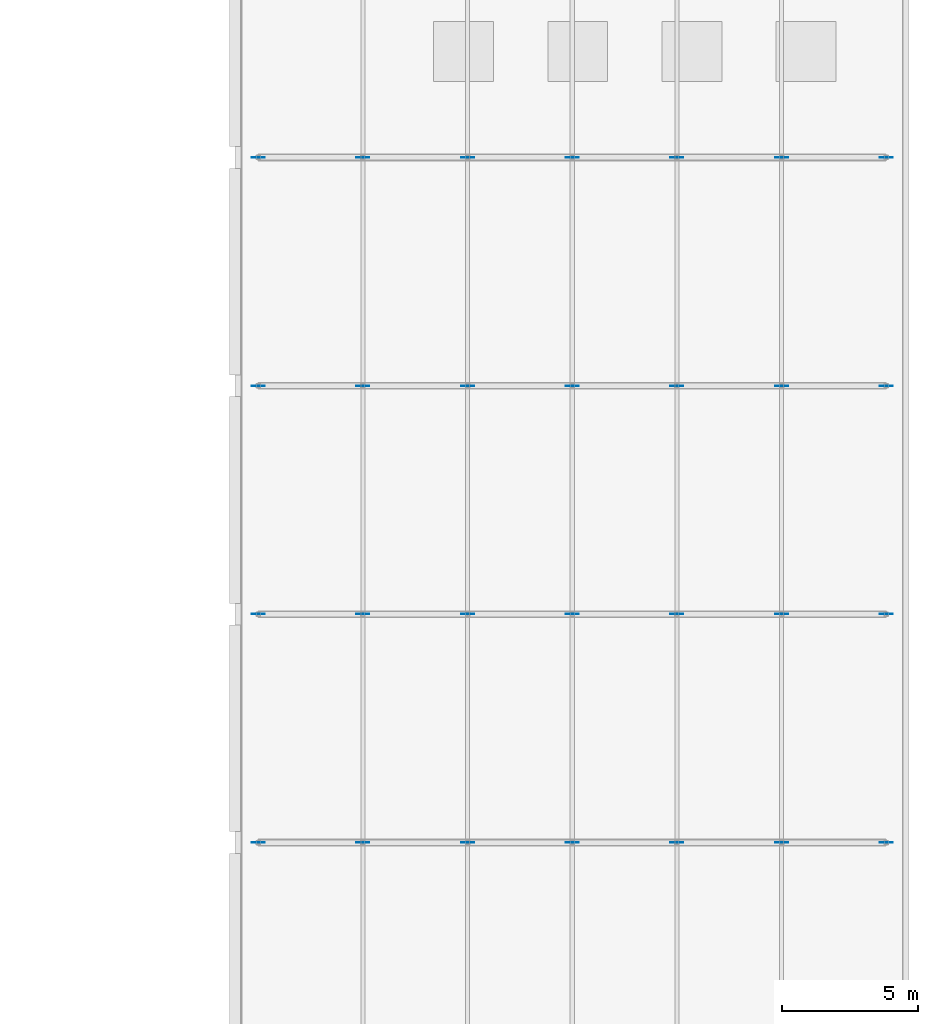
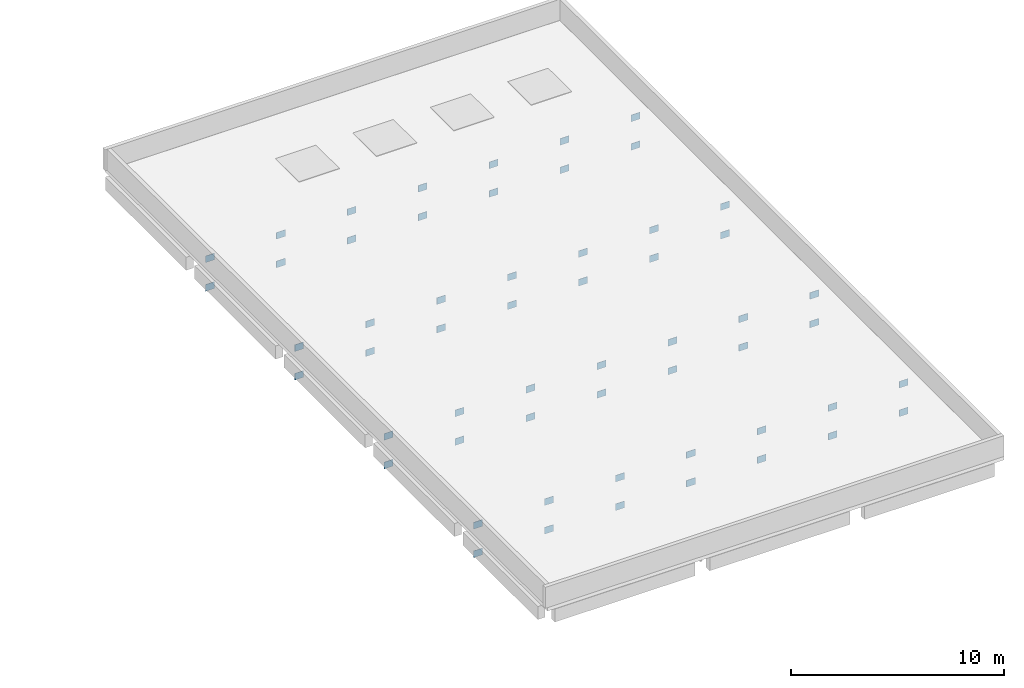
# One storey, part 28 of 38: 56 plates.
"""IFC4 building model written with IfcOpenShell, lengths in metres."""

import ifcopenshell
import ifcopenshell.guid

model = None  # the IFC model being written
_history = None  # IfcOwnerHistory: only IFC2X3 demands one
_inside = {}  # id of a spatial element -> (the spatial element, [elements in it])
_under = {}  # id of a project, library or spatial element -> (it, [spatial elements below it])
_declared = {}  # id of a project -> (the project, [libraries it declares])
_typed = {}  # id of a type object -> (the type object, [elements of that type])
_made_of = {}  # id of a material, layer set ... -> (it, [elements and type objects made of it])


def new_model(schema):
    """Start an empty IFC model of exactly this schema.

    Asked for "IFC4X3", IfcOpenShell would pick the latest addendum, in which some entities
    have other attributes; the version numbers below select the first issue.
    IFC2X3 requires an IfcOwnerHistory on every rooted entity: one is made here for all.
    """
    global model, _history
    if schema == "IFC4X3":
        model = ifcopenshell.file(schema_version=(4, 3, 0, 0))
    else:
        model = ifcopenshell.file(schema=schema)
    _inside.clear()
    _under.clear()
    _declared.clear()
    _typed.clear()
    _made_of.clear()
    _history = None
    if model.schema == "IFC2X3":
        org = make("IfcOrganization", Name="unknown")
        user = make(
            "IfcPersonAndOrganization",
            ThePerson=make("IfcPerson", FamilyName="unknown"),
            TheOrganization=org,
        )
        app = make(
            "IfcApplication",
            ApplicationDeveloper=org,
            Version="unknown",
            ApplicationFullName="unknown",
            ApplicationIdentifier="unknown",
        )
        _history = make(
            "IfcOwnerHistory",
            OwningUser=user,
            OwningApplication=app,
            ChangeAction="ADDED",
            CreationDate=0,
        )
    return model


def make(cls, **values):
    """One entity of the class cls with the attributes given. An attribute that is None is left unset."""
    return model.create_entity(
        cls, **{name: value for name, value in values.items() if value is not None}
    )


def rooted(cls, **values):
    """An entity with a GlobalId (a new one), such as an element, a storey or a relation."""
    return make(cls, GlobalId=ifcopenshell.guid.new(), OwnerHistory=_history, **values)


def si_unit(unit_type, name, prefix=None):
    """IfcSIUnit, for example si_unit("LENGTHUNIT", "METRE", prefix="MILLI")."""
    return make("IfcSIUnit", UnitType=unit_type, Prefix=prefix, Name=name)


def assignment(units):
    """IfcUnitAssignment: the units of a project."""
    return None if units is None else make("IfcUnitAssignment", Units=units)


def point(xyz):
    """IfcCartesianPoint."""
    return None if xyz is None else make("IfcCartesianPoint", Coordinates=xyz)


def direction(xyz):
    """IfcDirection."""
    return None if xyz is None else make("IfcDirection", DirectionRatios=xyz)


def frame(location, z_axis=None, x_axis=None):
    """IfcAxis2Placement3D, a coordinate frame: its origin and axes. An axis left out is left unset."""
    return make(
        "IfcAxis2Placement3D",
        Location=point(location),
        Axis=direction(z_axis),
        RefDirection=direction(x_axis),
    )


def frame_2d(location, x_axis=None):
    """IfcAxis2Placement2D, a coordinate frame in the plane: its origin and x axis."""
    return make(
        "IfcAxis2Placement2D", Location=point(location), RefDirection=direction(x_axis)
    )


def origin():
    """The frame at (0, 0, 0) with its axes left unset."""
    return frame((0.0, 0.0, 0.0))


def origin_2d():
    """The frame at (0, 0) in the plane with its x axis left unset."""
    return frame_2d((0.0, 0.0))


def place(relative_to, where):
    """IfcLocalPlacement: puts the frame where relative to a parent placement (None: the world)."""
    return make(
        "IfcLocalPlacement", PlacementRelTo=relative_to, RelativePlacement=where
    )


def context(
    kind, dimensions, precision=None, world=None, true_north=None, identifier=None
):
    """IfcGeometricRepresentationContext, for example the 3D "Model" context."""
    return make(
        "IfcGeometricRepresentationContext",
        ContextIdentifier=identifier,
        ContextType=kind,
        CoordinateSpaceDimension=dimensions,
        Precision=precision,
        WorldCoordinateSystem=world,
        TrueNorth=true_north,
    )


def subcontext(parent, identifier, kind, view, scale=None):
    """IfcGeometricRepresentationSubContext, for example "Body" below "Model"."""
    return make(
        "IfcGeometricRepresentationSubContext",
        ContextIdentifier=identifier,
        ContextType=kind,
        ParentContext=parent,
        TargetScale=scale,
        TargetView=view,
    )


def project(units=None, contexts=None):
    """IfcProject with its units and contexts."""
    return rooted(
        "IfcProject",
        Name="project",
        RepresentationContexts=contexts,
        UnitsInContext=assignment(units),
    )


def spatial(cls, under=None, at=None, **own):
    """A site, building, storey or space (cls), placed at a placement, below another one or the project."""
    s = rooted(cls, ObjectPlacement=at, **own)
    if under is not None:
        _under.setdefault(under.id(), (under, []))[1].append(s)
    return s


def profile(cls, at=None, kind="AREA", **sizes):
    """A parametric profile (cls). Its sizes go by their IFC names, for example OverallWidth=200.0."""
    return make(cls, ProfileType=kind, Position=at, **sizes)


def rectangle(**sizes):
    """IfcRectangleProfileDef."""
    return profile("IfcRectangleProfileDef", **sizes)


def extrude(swept, where, along, depth):
    """IfcExtrudedAreaSolid: the profile swept, set in the frame where, extruded along a direction by depth."""
    return make(
        "IfcExtrudedAreaSolid",
        SweptArea=swept,
        Position=where,
        ExtrudedDirection=direction(along),
        Depth=depth,
    )


def shape(context_of_items, identifier, shape_type, items):
    """IfcShapeRepresentation: the items that make up one representation, for example the "Body"."""
    return make(
        "IfcShapeRepresentation",
        ContextOfItems=context_of_items,
        RepresentationIdentifier=identifier,
        RepresentationType=shape_type,
        Items=items,
    )


def material(Name=None, Category=None):
    """IfcMaterial."""
    return make("IfcMaterial", Name=Name, Category=Category)


def layer(
    of_material, thickness, ventilated=None, Name=None, Category=None, Priority=None
):
    """IfcMaterialLayer: one layer of a wall or slab, of a material (None: an air gap)."""
    return make(
        "IfcMaterialLayer",
        Material=of_material,
        LayerThickness=thickness,
        IsVentilated=ventilated,
        Name=Name,
        Category=Category,
        Priority=Priority,
    )


def layer_set(layers, Name=None):
    """IfcMaterialLayerSet."""
    return make("IfcMaterialLayerSet", MaterialLayers=layers, LayerSetName=Name)


def made_of(thing, what):
    """Note that an element or type object is made of a material, layer set ...; save() writes the relation."""
    if what is not None:
        _made_of.setdefault(what.id(), (what, []))[1].append(thing)
    return thing


def type_object(cls, material=None, **own):
    """A type object (cls), such as IfcWallType, which elements share."""
    return made_of(rooted(cls, **own), material)


def element(
    cls,
    number,
    at=None,
    inside=None,
    cuts=None,
    type_object=None,
    material=None,
    context=None,
    identifier="Body",
    shape_type=None,
    held_by="IfcProductDefinitionShape",
    body=None,
    shapes=None,
    **own,
):
    """One element of the class cls, such as IfcWall. Its Tag is "e" and its number.

    at: its placement. inside: the storey or other place that contains it. cuts: it is an
    opening in that element (IfcRelVoidsElement). A single representation is given by context,
    identifier, shape_type and body (its items); several are given by shapes. held_by: the class
    of the entity that holds the representations. save() writes the other relations.
    """
    e = rooted(cls, Tag="e%d" % number, ObjectPlacement=at, **own)
    if body is not None:
        shapes = [shape(context, identifier, shape_type, body)]
    if shapes is not None:
        e.Representation = make(held_by, Representations=shapes)
    if inside is not None:
        _inside.setdefault(inside.id(), (inside, []))[1].append(e)
    if cuts is not None:
        rooted(
            "IfcRelVoidsElement", RelatingBuildingElement=cuts, RelatedOpeningElement=e
        )
    if type_object is not None:
        _typed.setdefault(type_object.id(), (type_object, []))[1].append(e)
    return made_of(e, material)


def aggregate(whole, parts):
    """IfcRelAggregates: a whole, such as a stair, and the parts it consists of."""
    return rooted("IfcRelAggregates", RelatingObject=whole, RelatedObjects=parts)


def save(model, path):
    """Write the relations noted so far, then the file.

    IfcRelAggregates (storeys below a building ...), IfcRelContainedInSpatialStructure (elements
    in a storey), IfcRelDefinesByType, IfcRelAssociatesMaterial and IfcRelDeclares: one each for
    every whole, place, type object, material and project.
    """
    for whole, parts in _under.values():
        aggregate(whole, parts)
    for where, things in _inside.values():
        rooted(
            "IfcRelContainedInSpatialStructure",
            RelatedElements=things,
            RelatingStructure=where,
        )
    for kind, things in _typed.values():
        rooted("IfcRelDefinesByType", RelatedObjects=things, RelatingType=kind)
    for what, things in _made_of.values():
        rooted("IfcRelAssociatesMaterial", RelatedObjects=things, RelatingMaterial=what)
    for by, libraries in _declared.values():
        rooted("IfcRelDeclares", RelatingContext=by, RelatedDefinitions=libraries)
    model.write(path)


model = new_model("IFC4")

# Units and contexts
model_context = context("Model", 3, precision=1e-05, world=origin(), true_north=direction((0.0, 1.0)))
body_context = subcontext(model_context, "Body", "Model", "MODEL_VIEW")
ifc_project = project(units=[si_unit("LENGTHUNIT", "METRE"), si_unit("AREAUNIT", "SQUARE_METRE"), si_unit("VOLUMEUNIT", "CUBIC_METRE"), si_unit("PLANEANGLEUNIT", "RADIAN"), si_unit("MASSUNIT", "GRAM", prefix="KILO")], contexts=[model_context])

# Site, building, storey
site_placement = place(None, origin())
site = spatial("IfcSite", under=ifc_project, at=site_placement, CompositionType="ELEMENT")
building_placement = place(site_placement, origin())
building = spatial("IfcBuilding", under=site, at=building_placement, Name="Brinegate Botanical Conservatory", CompositionType="ELEMENT")
storey_placement = place(building_placement, frame((0.0, 0.0, 10.199951171875)))
storey = spatial("IfcBuildingStorey", under=building, at=storey_placement, Name="L03", CompositionType="ELEMENT", Elevation=10.199951171875)

# Plates
ifc_material = material(Name="Welded node steel Q355GJ / S355", Category="steel")
ifc_layer = layer(ifc_material, 0.02197265625, Name="Welded node steel Q355GJ / S355", Category="steel")
ifc_layer_set = layer_set([ifc_layer], Name="Welded node steel Q355GJ / S355")
plate_type = type_object("IfcPlateType", Name="Plate_GS-01", PredefinedType="USERDEFINED", material=ifc_layer_set)
for number, where, z_axis, x_axis, name in (
    (1, (139.64990234375, 8.39990234375, -0.5498046875), (0.0, 0.0, 1.0), (1.0, 0.0, 0.0), "Auditorium roof truss gusset node GS-01 T1.T1"),
    (2, (139.64990234375, 8.39990234375, -2.18994140625), (0.0, 0.0, 1.0), (1.0, 0.0, 0.0), "Auditorium roof truss gusset node GS-01 T1.B1"),
    (3, (143.5, 8.39990234375, -0.5498046875), (0.0, 0.0, 1.0), (1.0, 0.0, 0.0), "Auditorium roof truss gusset node GS-01 T1.T2"),
    (4, (143.5, 8.39990234375, -2.18994140625), (0.0, 0.0, 1.0), (1.0, 0.0, 0.0), "Auditorium roof truss gusset node GS-01 T1.B2"),
    (5, (147.35009765625, 8.39990234375, -0.5498046875), (0.0, 0.0, 1.0), (1.0, 0.0, 0.0), "Auditorium roof truss gusset node GS-01 T1.T3"),
    (6, (147.35009765625, 8.39990234375, -2.18994140625), (0.0, 0.0, 1.0), (1.0, 0.0, 0.0), "Auditorium roof truss gusset node GS-01 T1.B3"),
    (7, (151.199951171875, 8.39990234375, -0.5498046875), (0.0, 0.0, 1.0), (1.0, 0.0, 0.0), "Auditorium roof truss gusset node GS-01 T1.T4"),
    (8, (151.199951171875, 8.39990234375, -2.18994140625), (0.0, 0.0, 1.0), (1.0, 0.0, 0.0), "Auditorium roof truss gusset node GS-01 T1.B4"),
    (9, (155.050048828125, 8.39990234375, -0.5498046875), (0.0, 0.0, 1.0), (1.0, 0.0, 0.0), "Auditorium roof truss gusset node GS-01 T1.T5"),
    (10, (155.050048828125, 8.39990234375, -2.18994140625), (0.0, 0.0, 1.0), (1.0, 0.0, 0.0), "Auditorium roof truss gusset node GS-01 T1.B5"),
    (11, (158.89990234375, 8.39990234375, -0.5498046875), (0.0, 0.0, 1.0), (1.0, 0.0, 0.0), "Auditorium roof truss gusset node GS-01 T1.T6"),
    (12, (158.89990234375, 8.39990234375, -2.18994140625), (0.0, 0.0, 1.0), (1.0, 0.0, 0.0), "Auditorium roof truss gusset node GS-01 T1.B6"),
    (13, (162.75, 8.39990234375, -0.5498046875), (0.0, 0.0, 1.0), (1.0, 0.0, 0.0), "Auditorium roof truss gusset node GS-01 T1.T7"),
    (14, (162.75, 8.39990234375, -2.18994140625), (0.0, 0.0, 1.0), (1.0, 0.0, 0.0), "Auditorium roof truss gusset node GS-01 T1.B7"),
    (15, (139.64990234375, 16.800048828125, -0.5498046875), (0.0, 0.0, 1.0), (1.0, 0.0, 0.0), "Auditorium roof truss gusset node GS-01 T2.T1"),
    (16, (139.64990234375, 16.800048828125, -2.18994140625), (0.0, 0.0, 1.0), (1.0, 0.0, 0.0), "Auditorium roof truss gusset node GS-01 T2.B1"),
    (17, (143.5, 16.800048828125, -0.5498046875), (0.0, 0.0, 1.0), (1.0, 0.0, 0.0), "Auditorium roof truss gusset node GS-01 T2.T2"),
    (18, (143.5, 16.800048828125, -2.18994140625), (0.0, 0.0, 1.0), (1.0, 0.0, 0.0), "Auditorium roof truss gusset node GS-01 T2.B2"),
    (19, (147.35009765625, 16.800048828125, -0.5498046875), (0.0, 0.0, 1.0), (1.0, 0.0, 0.0), "Auditorium roof truss gusset node GS-01 T2.T3"),
    (20, (147.35009765625, 16.800048828125, -2.18994140625), (0.0, 0.0, 1.0), (1.0, 0.0, 0.0), "Auditorium roof truss gusset node GS-01 T2.B3"),
    (21, (151.199951171875, 16.800048828125, -0.5498046875), (0.0, 0.0, 1.0), (1.0, 0.0, 0.0), "Auditorium roof truss gusset node GS-01 T2.T4"),
    (22, (151.199951171875, 16.800048828125, -2.18994140625), (0.0, 0.0, 1.0), (1.0, 0.0, 0.0), "Auditorium roof truss gusset node GS-01 T2.B4"),
    (23, (155.050048828125, 16.800048828125, -0.5498046875), (0.0, 0.0, 1.0), (1.0, 0.0, 0.0), "Auditorium roof truss gusset node GS-01 T2.T5"),
    (24, (155.050048828125, 16.800048828125, -2.18994140625), (0.0, 0.0, 1.0), (1.0, 0.0, 0.0), "Auditorium roof truss gusset node GS-01 T2.B5"),
    (25, (158.89990234375, 16.800048828125, -0.5498046875), (0.0, 0.0, 1.0), (1.0, 0.0, 0.0), "Auditorium roof truss gusset node GS-01 T2.T6"),
    (26, (158.89990234375, 16.800048828125, -2.18994140625), (0.0, 0.0, 1.0), (1.0, 0.0, 0.0), "Auditorium roof truss gusset node GS-01 T2.B6"),
    (27, (162.75, 16.800048828125, -0.5498046875), (0.0, 0.0, 1.0), (1.0, 0.0, 0.0), "Auditorium roof truss gusset node GS-01 T2.T7"),
    (28, (162.75, 16.800048828125, -2.18994140625), (0.0, 0.0, 1.0), (1.0, 0.0, 0.0), "Auditorium roof truss gusset node GS-01 T2.B7"),
    (29, (139.64990234375, 25.199951171875, -0.5498046875), (0.0, 0.0, 1.0), (1.0, 0.0, 0.0), "Auditorium roof truss gusset node GS-01 T3.T1"),
    (30, (139.64990234375, 25.199951171875, -2.18994140625), (0.0, 0.0, 1.0), (1.0, 0.0, 0.0), "Auditorium roof truss gusset node GS-01 T3.B1"),
    (31, (143.5, 25.199951171875, -0.5498046875), (0.0, 0.0, 1.0), (1.0, 0.0, 0.0), "Auditorium roof truss gusset node GS-01 T3.T2"),
    (32, (143.5, 25.199951171875, -2.18994140625), (0.0, 0.0, 1.0), (1.0, 0.0, 0.0), "Auditorium roof truss gusset node GS-01 T3.B2"),
    (33, (147.35009765625, 25.199951171875, -0.5498046875), (0.0, 0.0, 1.0), (1.0, 0.0, 0.0), "Auditorium roof truss gusset node GS-01 T3.T3"),
    (34, (147.35009765625, 25.199951171875, -2.18994140625), (0.0, 0.0, 1.0), (1.0, 0.0, 0.0), "Auditorium roof truss gusset node GS-01 T3.B3"),
    (35, (151.199951171875, 25.199951171875, -0.5498046875), (0.0, 0.0, 1.0), (1.0, 0.0, 0.0), "Auditorium roof truss gusset node GS-01 T3.T4"),
    (36, (151.199951171875, 25.199951171875, -2.18994140625), (0.0, 0.0, 1.0), (1.0, 0.0, 0.0), "Auditorium roof truss gusset node GS-01 T3.B4"),
    (37, (155.050048828125, 25.199951171875, -0.5498046875), (0.0, 0.0, 1.0), (1.0, 0.0, 0.0), "Auditorium roof truss gusset node GS-01 T3.T5"),
    (38, (155.050048828125, 25.199951171875, -2.18994140625), (0.0, 0.0, 1.0), (1.0, 0.0, 0.0), "Auditorium roof truss gusset node GS-01 T3.B5"),
    (39, (158.89990234375, 25.199951171875, -0.5498046875), (0.0, 0.0, 1.0), (1.0, 0.0, 0.0), "Auditorium roof truss gusset node GS-01 T3.T6"),
    (40, (158.89990234375, 25.199951171875, -2.18994140625), (0.0, 0.0, 1.0), (1.0, 0.0, 0.0), "Auditorium roof truss gusset node GS-01 T3.B6"),
    (41, (162.75, 25.199951171875, -0.5498046875), (0.0, 0.0, 1.0), (1.0, 0.0, 0.0), "Auditorium roof truss gusset node GS-01 T3.T7"),
    (42, (162.75, 25.199951171875, -2.18994140625), (0.0, 0.0, 1.0), (1.0, 0.0, 0.0), "Auditorium roof truss gusset node GS-01 T3.B7"),
    (43, (139.64990234375, 33.60009765625, -0.5498046875), (0.0, 0.0, 1.0), (1.0, 0.0, 0.0), "Auditorium roof truss gusset node GS-01 T4.T1"),
    (44, (139.64990234375, 33.60009765625, -2.18994140625), (0.0, 0.0, 1.0), (1.0, 0.0, 0.0), "Auditorium roof truss gusset node GS-01 T4.B1"),
    (45, (143.5, 33.60009765625, -0.5498046875), (0.0, 0.0, 1.0), (1.0, 0.0, 0.0), "Auditorium roof truss gusset node GS-01 T4.T2"),
    (46, (143.5, 33.60009765625, -2.18994140625), (0.0, 0.0, 1.0), (1.0, 0.0, 0.0), "Auditorium roof truss gusset node GS-01 T4.B2"),
    (47, (147.35009765625, 33.60009765625, -0.5498046875), (0.0, 0.0, 1.0), (1.0, 0.0, 0.0), "Auditorium roof truss gusset node GS-01 T4.T3"),
    (48, (147.35009765625, 33.60009765625, -2.18994140625), (0.0, 0.0, 1.0), (1.0, 0.0, 0.0), "Auditorium roof truss gusset node GS-01 T4.B3"),
    (49, (151.199951171875, 33.60009765625, -0.5498046875), (0.0, 0.0, 1.0), (1.0, 0.0, 0.0), "Auditorium roof truss gusset node GS-01 T4.T4"),
    (50, (151.199951171875, 33.60009765625, -2.18994140625), (0.0, 0.0, 1.0), (1.0, 0.0, 0.0), "Auditorium roof truss gusset node GS-01 T4.B4"),
    (51, (155.050048828125, 33.60009765625, -0.5498046875), (0.0, 0.0, 1.0), (1.0, 0.0, 0.0), "Auditorium roof truss gusset node GS-01 T4.T5"),
    (52, (155.050048828125, 33.60009765625, -2.18994140625), (0.0, 0.0, 1.0), (1.0, 0.0, 0.0), "Auditorium roof truss gusset node GS-01 T4.B5"),
    (53, (158.89990234375, 33.60009765625, -0.5498046875), (0.0, 0.0, 1.0), (1.0, 0.0, 0.0), "Auditorium roof truss gusset node GS-01 T4.T6"),
    (54, (158.89990234375, 33.60009765625, -2.18994140625), (0.0, 0.0, 1.0), (1.0, 0.0, 0.0), "Auditorium roof truss gusset node GS-01 T4.B6"),
    (55, (162.75, 33.60009765625, -0.5498046875), (0.0, 0.0, 1.0), (1.0, 0.0, 0.0), "Auditorium roof truss gusset node GS-01 T4.T7"),
    (56, (162.75, 33.60009765625, -2.18994140625), (0.0, 0.0, 1.0), (1.0, 0.0, 0.0), "Auditorium roof truss gusset node GS-01 T4.B7"),
):
    element("IfcPlate", number, at=place(storey_placement, frame(where, z_axis=z_axis, x_axis=x_axis)), inside=storey, type_object=plate_type, Name=name, ObjectType="GUSSET PLATE", PredefinedType="USERDEFINED", context=body_context, shape_type="SweptSolid", body=[
        extrude(rectangle(XDim=0.47998046875, YDim=0.02197265625, at=origin_2d()), origin(), (0.0, 0.0, 1.0), 0.3798828125),
    ])

save(model, "model.ifc")
